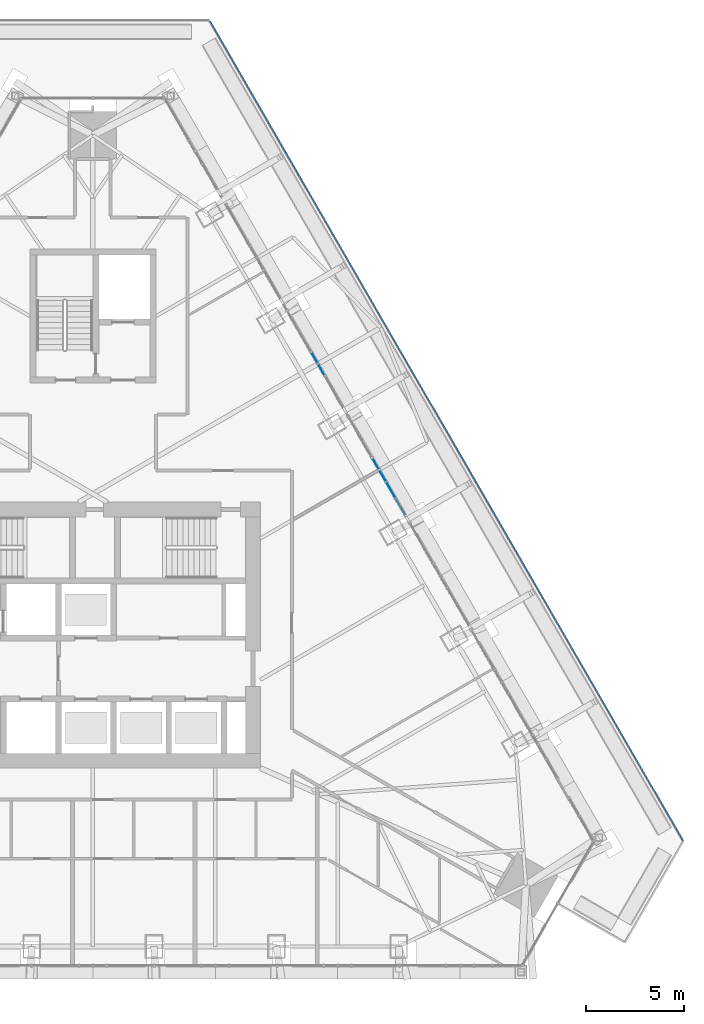
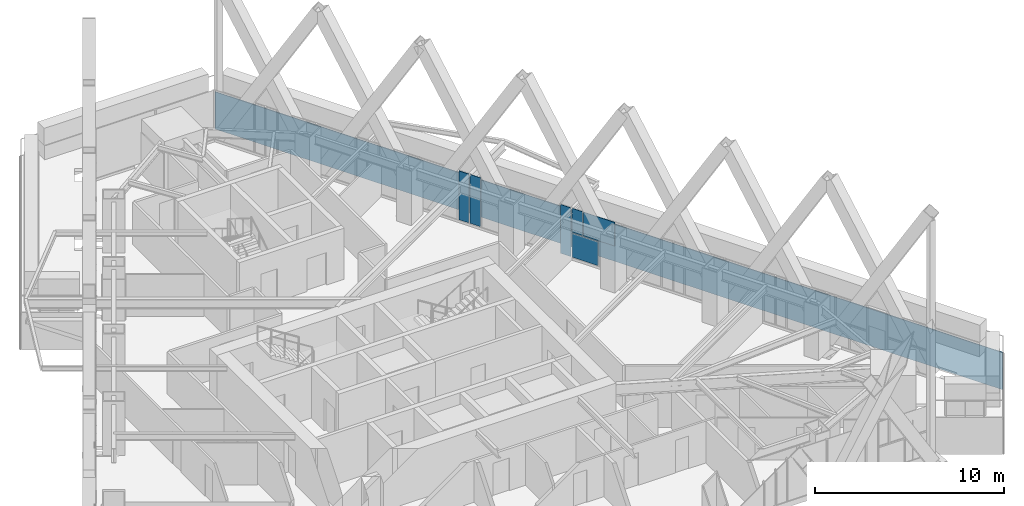
# One storey, part 14 of 23: 7 plates, 1 element without a shape of its own.
"""IFC4 building model written with IfcOpenShell, lengths in metres."""

from ifc_helpers import new_model, si_unit, direction, frame, origin, place, context, subcontext, project, spatial, polyline, outline, extrude, material, layer, layer_set, type_object, element, aggregate, save


model = new_model("IFC4")

# Units and contexts
model_context = context("Model", 3, precision=1e-05, world=origin(), true_north=direction((0.0, 1.0)))
body_context = subcontext(model_context, "Body", "Model", "MODEL_VIEW")
ifc_project = project(units=[si_unit("LENGTHUNIT", "METRE"), si_unit("AREAUNIT", "SQUARE_METRE"), si_unit("VOLUMEUNIT", "CUBIC_METRE"), si_unit("PLANEANGLEUNIT", "RADIAN"), si_unit("MASSUNIT", "GRAM", prefix="KILO")], contexts=[model_context])

# Site, building, storey
site_placement = place(None, origin())
site = spatial("IfcSite", under=ifc_project, at=site_placement, CompositionType="ELEMENT")
building_placement = place(site_placement, origin())
building = spatial("IfcBuilding", under=site, at=building_placement, Name="Firuza Gate Tower and Library", CompositionType="ELEMENT")
storey_placement = place(building_placement, frame((0.0, 0.0, 291.60009765625)))
storey = spatial("IfcBuildingStorey", under=building, at=storey_placement, Name="L70", CompositionType="ELEMENT", Elevation=291.60009765625)

# Curtain wall, plates
ifc_material_1 = material(Name="Aluminium 6063-T6", Category="aluminium")
ifc_layer_1 = layer(ifc_material_1, 0.14990234375)
ifc_layer_set_1 = layer_set([ifc_layer_1], Name="Unitised curtain wall, residences")
curtain_wall_type = type_object("IfcCurtainWallType", Name="Unitised curtain wall, residences", PredefinedType="NOTDEFINED", material=ifc_layer_set_1)
curtain_wall_placement = place(storey_placement, origin())
curtain_wall = element("IfcCurtainWall", 1, at=curtain_wall_placement, inside=storey, type_object=curtain_wall_type, Name="CW3 L70 E face", PredefinedType="NOTDEFINED")
ifc_material_2 = material(Name="Fritted glass", Category="glass")
ifc_layer_2 = layer(ifc_material_2, 0.030029296875)
ifc_layer_set_2 = layer_set([ifc_layer_2], Name="Fritted glass unit, residences")
plate_type_1 = type_object("IfcPlateType", Name="Fritted glass unit, residences", PredefinedType="CURTAIN_PANEL", material=ifc_layer_set_2)
plate_1_placement = place(storey_placement, frame((90.360107421875, 82.0, 0.14990234375), z_axis=(0.866054176979, 0.499950160053, 0.0), x_axis=(-0.499950160053, 0.866054176979, 0.0)))
plate_1 = element("IfcPlate", 2, at=plate_1_placement, type_object=plate_type_1, Name="Glass unit", PredefinedType="CURTAIN_PANEL", context=body_context, shape_type="SweptSolid", body=[
    extrude(outline(polyline([(0.0, 0.0), (1.5777939930867613, 0.0), (1.5777939930867613, 1.534912109375), (0.0, 1.534912109375), (0.0, 0.0)])), origin(), (0.0, 0.0, -1.0), 0.030029296875),
])
plate_2_placement = place(storey_placement, frame((89.88232421875, 82.82763671875, 1.764892578125), z_axis=(0.866061432277, 0.499937591627, 0.0), x_axis=(-0.499937591627, 0.866061432277, 0.0)))
plate_2 = element("IfcPlate", 3, at=plate_2_placement, type_object=plate_type_1, Name="Glass unit", PredefinedType="CURTAIN_PANEL", context=body_context, shape_type="SweptSolid", body=[
    extrude(outline(polyline([(0.0, 0.0), (0.622147966984566, 0.0), (0.622147966984566, 1.534912109375), (0.0, 1.534912109375), (0.0, 0.0)])), origin(), (0.0, 0.0, -1.0), 0.030029296875),
])
plate_3_placement = place(storey_placement, frame((89.53125, 83.435791015625, 0.14990234375), z_axis=(0.866061432277, 0.499937591627, 0.0), x_axis=(-0.499937591627, 0.866061432277, 0.0)))
plate_3 = element("IfcPlate", 4, at=plate_3_placement, type_object=plate_type_1, Name="Glass unit", PredefinedType="CURTAIN_PANEL", context=body_context, shape_type="SweptSolid", body=[
    extrude(outline(polyline([(0.0, 0.0), (0.622147966984566, 0.0), (0.622147966984566, 3.14990234375), (0.0, 3.14990234375), (0.0, 0.0)])), origin(), (0.0, 0.0, -1.0), 0.030029296875),
])
plate_4_placement = place(storey_placement, frame((86.775634765625, 88.20849609375, 0.14990234375), z_axis=(0.866127928132, 0.499822380561, 0.0), x_axis=(-0.499822380561, 0.866127928132, 0.0)))
plate_4 = element("IfcPlate", 5, at=plate_4_placement, type_object=plate_type_1, Name="Glass unit", PredefinedType="CURTAIN_PANEL", context=body_context, shape_type="SweptSolid", body=[
    extrude(outline(polyline([(0.0, 0.0), (0.634502743792482, 0.0), (0.634502743792482, 3.14990234375), (0.0, 3.14990234375), (0.0, 0.0)])), origin(), (0.0, 0.0, -1.0), 0.030029296875),
])
plate_5_placement = place(storey_placement, frame((86.41845703125, 88.827392578125, 0.14990234375), z_axis=(0.865992225662, 0.50005746179, 0.0), x_axis=(-0.50005746179, 0.865992225662, 0.0)))
plate_5 = element("IfcPlate", 6, at=plate_5_placement, type_object=plate_type_1, Name="Glass unit", PredefinedType="CURTAIN_PANEL", context=body_context, shape_type="SweptSolid", body=[
    extrude(outline(polyline([(0.0, 0.0), (0.609793201631839, 0.0), (0.609793201631839, 3.14990234375), (0.0, 3.14990234375), (0.0, 0.0)])), origin(), (0.0, 0.0, -1.0), 0.030029296875),
])
ifc_material_3 = material(Name="Glazed ceramic tile")
ifc_layer_3 = layer(ifc_material_3, 0.030029296875)
ifc_layer_set_3 = layer_set([ifc_layer_3], Name="Opaque ceramic panel, residences")
plate_type_2 = type_object("IfcPlateType", Name="Opaque ceramic panel, residences", PredefinedType="CURTAIN_PANEL", material=ifc_layer_set_3)
plate_6_placement = place(storey_placement, frame((90.861083984375, 81.132568359375, 1.764892578125), z_axis=(0.866001494602, 0.500041409633, 0.0), x_axis=(-0.500041409633, 0.866001494602, 0.0)))
plate_6 = element("IfcPlate", 7, at=plate_6_placement, type_object=plate_type_2, Name="Opaque ceramic panel", PredefinedType="CURTAIN_PANEL", context=body_context, shape_type="SweptSolid", body=[
    extrude(outline(polyline([(0.0, 0.0), (1.87728593080837, 0.0), (1.87728593080837, 1.5349121093750004), (0.0, 1.5349121093750004), (0.0, 0.0)])), origin(), (0.0, 0.0, -1.0), 0.030029296875),
])
aggregate(curtain_wall, [plate_1, plate_6, plate_2, plate_3, plate_4, plate_5])

# Plate
ifc_material_4 = material(Name="Aluminium 6063-T6", Category="aluminium")
ifc_layer_4 = layer(ifc_material_4, 0.050048828125)
ifc_layer_set_4 = layer_set([ifc_layer_4], Name="Tray fascia panel 50")
plate_type_3 = type_object("IfcPlateType", Name="Tray fascia panel 50", PredefinedType="SHEET", material=ifc_layer_set_4)
plate_7_placement = place(storey_placement, frame((104.993896484375, 64.573974609375, -2.400146484375), z_axis=(0.866025251395, 0.500000263946, 0.0), x_axis=(-0.500000263946, 0.866025251395, 0.0)))
element("IfcPlate", 8, at=plate_7_placement, inside=storey, type_object=plate_type_3, Name="Tray fascia L70 2", PredefinedType="SHEET", context=body_context, shape_type="SweptSolid", body=[
    extrude(outline(polyline([(0.0, 0.0), (48.05173244640393, 0.0), (48.05173244640393, 2.400146484375), (0.0, 2.400146484375), (0.0, 0.0)])), origin(), (0.0, 0.0, -1.0), 0.050048828125),
])

save(model, "model.ifc")
